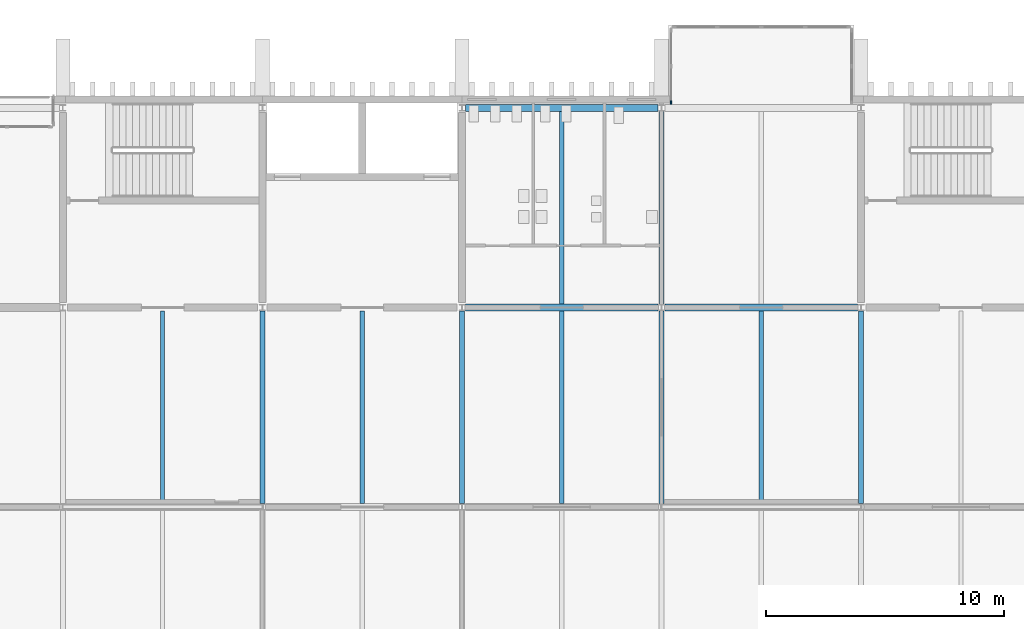
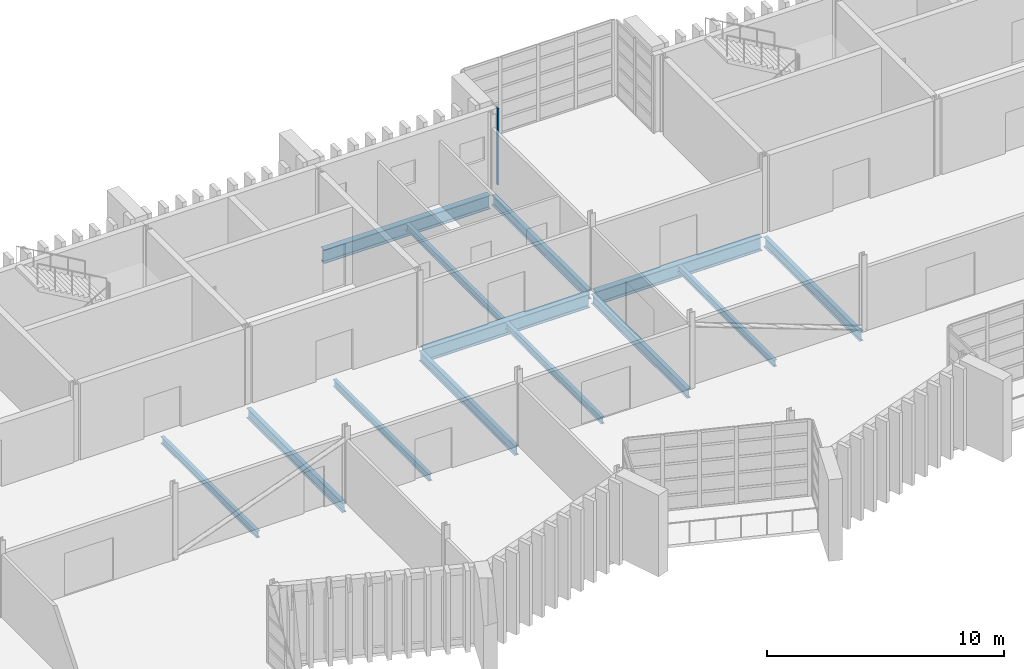
# One storey, part 30 of 88: 13 beams, 1 member, 1 element without a shape of its own.
"""IFC4 building model written with IfcOpenShell, lengths in metres."""

from ifc_helpers import new_model, si_unit, direction, frame, origin, origin_2d, place, context, subcontext, project, spatial, rectangle, i_section, extrude, material, layer, layer_set, material_profile, profile_set, type_object, element, aggregate, save


model = new_model("IFC4")

# Units and contexts
model_context = context("Model", 3, precision=1e-05, world=origin(), true_north=direction((0.0, 1.0)))
body_context = subcontext(model_context, "Body", "Model", "MODEL_VIEW")
ifc_project = project(units=[si_unit("LENGTHUNIT", "METRE"), si_unit("AREAUNIT", "SQUARE_METRE"), si_unit("VOLUMEUNIT", "CUBIC_METRE"), si_unit("PLANEANGLEUNIT", "RADIAN"), si_unit("MASSUNIT", "GRAM", prefix="KILO")], contexts=[model_context])

# Site, building, storey
site_placement = place(None, origin())
site = spatial("IfcSite", under=ifc_project, at=site_placement, CompositionType="ELEMENT")
building_placement = place(site_placement, origin())
building = spatial("IfcBuilding", under=site, at=building_placement, Name="Cresset Court Congress Hotel", CompositionType="ELEMENT")
storey_placement = place(building_placement, frame((0.0, 0.0, 14.39990234375)))
storey = spatial("IfcBuildingStorey", under=building, at=storey_placement, Name="L03", CompositionType="ELEMENT", Elevation=14.39990234375)

# Curtain wall, member
ifc_material_1 = material(Name="Aluminium frame with double glazing", Category="aluminium")
ifc_layer = layer(ifc_material_1, 0.199951171875)
ifc_layer_set = layer_set([ifc_layer], Name="Glazed box curtain wall 1680 module")
curtain_wall_type = type_object("IfcCurtainWallType", Name="Glazed box curtain wall 1680 module", PredefinedType="NOTDEFINED", material=ifc_layer_set)
curtain_wall_placement = place(storey_placement, origin())
curtain_wall = element("IfcCurtainWall", 1, at=curtain_wall_placement, inside=storey, type_object=curtain_wall_type, Name="Glazed box N0333 side", PredefinedType="NOTDEFINED")
ifc_material_2 = material(Name="Aluminium", Category="aluminium")
ifc_material_profile_1 = material_profile(ifc_material_2, rectangle(XDim=0.06005859375, YDim=0.159912109375, at=origin_2d()), Name="Box mullion 60x160")
ifc_profile_set_1 = profile_set([ifc_material_profile_1], Name="Aluminium")
member_type = type_object("IfcMemberType", Name="Box mullion 60x160", PredefinedType="MULLION", material=ifc_profile_set_1)
member_placement = place(storey_placement, frame((126.39990234375, 25.429931640625, 0.0), z_axis=(0.0, 0.0, 1.0), x_axis=(-1.0, 0.0, 0.0)))
member = element("IfcMember", 2, at=member_placement, type_object=member_type, Name="B-X1 mullion 1", PredefinedType="MULLION", context=body_context, shape_type="SweptSolid", body=[
    extrude(rectangle(XDim=0.06005859375, YDim=0.159912109375, at=origin_2d()), origin(), (0.0, 0.0, 1.0), 3.9501953125),
])
aggregate(curtain_wall, [member])

# Beams
ifc_material_3 = material(Name="Structural steel Q355B", Category="steel")
ifc_material_profile_2 = material_profile(ifc_material_3, i_section(OverallWidth=0.199951171875, OverallDepth=0.5, WebThickness=0.010009765625, FlangeThickness=0.01611328125, FilletRadius=0.012939453125, at=origin_2d()), Name="HN500x200x10x16")
ifc_profile_set_2 = profile_set([ifc_material_profile_2], Name="Structural steel Q355B")
beam_type_1 = type_object("IfcBeamType", Name="Steel beam HN500x200x10x16", PredefinedType="BEAM", material=ifc_profile_set_2)
for number, where, z_axis, x_axis, name in (
    (3, (109.199951171875, 8.550048828125, -0.39990234375), (0.0, 1.0, 0.0), (-1.0, 0.0, 0.0), "B.by.L03.14B"),
    (4, (117.60009765625, 8.550048828125, -0.39990234375), (0.0, 1.0, 0.0), (-1.0, 0.0, 0.0), "B.by.L03.15B"),
    (5, (126.0, 8.550048828125, -0.39990234375), (0.0, 1.0, 0.0), (-1.0, 0.0, 0.0), "B.by.L03.16B"),
):
    element("IfcBeam", number, at=place(storey_placement, frame(where, z_axis=z_axis, x_axis=x_axis)), inside=storey, type_object=beam_type_1, Name=name, PredefinedType="BEAM", context=body_context, shape_type="SweptSolid", body=[
        extrude(i_section(OverallWidth=0.199951171875, OverallDepth=0.5, WebThickness=0.010009765625, FlangeThickness=0.01611328125, FilletRadius=0.012939453125, at=origin_2d()), origin(), (0.0, 0.0, 1.0), 8.099853515625),
    ])
beam_1_placement = place(storey_placement, frame((126.0, 16.949951171875, -0.39990234375), z_axis=(0.0, 1.0, 0.0), x_axis=(-1.0, 0.0, 0.0)))
element("IfcBeam", 6, at=beam_1_placement, inside=storey, type_object=beam_type_1, Name="B.by.L03.16C", PredefinedType="BEAM", context=body_context, shape_type="SweptSolid", body=[
    extrude(i_section(OverallWidth=0.199951171875, OverallDepth=0.5, WebThickness=0.010009765625, FlangeThickness=0.01611328125, FilletRadius=0.012939453125, at=origin_2d()), origin(), (0.0, 0.0, 1.0), 8.10009765625),
])
beam_2_placement = place(storey_placement, frame((134.39990234375, 8.550048828125, -0.39990234375), z_axis=(0.0, 1.0, 0.0), x_axis=(-1.0, 0.0, 0.0)))
element("IfcBeam", 7, at=beam_2_placement, inside=storey, type_object=beam_type_1, Name="B.by.L03.17B", PredefinedType="BEAM", context=body_context, shape_type="SweptSolid", body=[
    extrude(i_section(OverallWidth=0.199951171875, OverallDepth=0.5, WebThickness=0.010009765625, FlangeThickness=0.01611328125, FilletRadius=0.012939453125, at=origin_2d()), origin(), (0.0, 0.0, 1.0), 8.099853515625),
])
ifc_material_4 = material(Name="Structural steel Q355B", Category="steel")
ifc_material_profile_3 = material_profile(ifc_material_4, i_section(OverallWidth=0.300048828125, OverallDepth=0.699951171875, WebThickness=0.012939453125, FlangeThickness=0.02392578125, FilletRadius=0.01806640625, at=origin_2d()), Name="HN700x300x13x24")
ifc_profile_set_3 = profile_set([ifc_material_profile_3], Name="Structural steel Q355B")
beam_type_2 = type_object("IfcBeamType", Name="Steel beam HN700x300x13x24", PredefinedType="BEAM", material=ifc_profile_set_3)
for number, where, z_axis, x_axis, name in (
    (8, (117.75, 16.800048828125, -0.5), (1.0, 0.0, 0.0), (0.0, 1.0, 0.0), "B.bx.L03.C15"),
    (9, (126.14990234375, 16.800048828125, -0.5), (1.0, 0.0, 0.0), (0.0, 1.0, 0.0), "B.bx.L03.C16"),
    (10, (117.75, 25.199951171875, -0.5), (1.0, 0.0, 0.0), (0.0, 1.0, 0.0), "B.bx.L03.D15"),
):
    element("IfcBeam", number, at=place(storey_placement, frame(where, z_axis=z_axis, x_axis=x_axis)), inside=storey, type_object=beam_type_2, Name=name, PredefinedType="BEAM", context=body_context, shape_type="SweptSolid", body=[
        extrude(i_section(OverallWidth=0.300048828125, OverallDepth=0.699951171875, WebThickness=0.012939453125, FlangeThickness=0.02392578125, FilletRadius=0.01806640625, at=origin_2d()), origin(), (0.0, 0.0, 1.0), 8.10009765625),
    ])
ifc_material_5 = material(Name="Structural steel Q355B", Category="steel")
ifc_material_profile_4 = material_profile(ifc_material_5, i_section(OverallWidth=0.175048828125, OverallDepth=0.35009765625, WebThickness=0.007080078125, FlangeThickness=0.010986328125, FilletRadius=0.012939453125, at=origin_2d()), Name="HN350x175x7x11")
ifc_profile_set_4 = profile_set([ifc_material_profile_4], Name="Structural steel Q355B")
beam_type_3 = type_object("IfcBeamType", Name="Steel joist HN350x175x7x11", PredefinedType="JOIST", material=ifc_profile_set_4)
for number, where, z_axis, x_axis, name in (
    (11, (105.0, 8.550048828125, -0.324951171875), (0.0, 1.0, 0.0), (-1.0, 0.0, 0.0), "B.bj.L03.13B"),
    (12, (113.39990234375, 8.550048828125, -0.324951171875), (0.0, 1.0, 0.0), (-1.0, 0.0, 0.0), "B.bj.L03.14B"),
    (13, (121.800048828125, 8.550048828125, -0.324951171875), (0.0, 1.0, 0.0), (-1.0, 0.0, 0.0), "B.bj.L03.15B"),
):
    element("IfcBeam", number, at=place(storey_placement, frame(where, z_axis=z_axis, x_axis=x_axis)), inside=storey, type_object=beam_type_3, Name=name, PredefinedType="JOIST", context=body_context, shape_type="SweptSolid", body=[
        extrude(i_section(OverallWidth=0.175048828125, OverallDepth=0.35009765625, WebThickness=0.007080078125, FlangeThickness=0.010986328125, FilletRadius=0.012939453125, at=origin_2d()), origin(), (0.0, 0.0, 1.0), 8.099853515625),
    ])
beam_3_placement = place(storey_placement, frame((121.800048828125, 16.949951171875, -0.324951171875), z_axis=(0.0, 1.0, 0.0), x_axis=(-1.0, 0.0, 0.0)))
element("IfcBeam", 14, at=beam_3_placement, inside=storey, type_object=beam_type_3, Name="B.bj.L03.15C", PredefinedType="JOIST", context=body_context, shape_type="SweptSolid", body=[
    extrude(i_section(OverallWidth=0.175048828125, OverallDepth=0.35009765625, WebThickness=0.007080078125, FlangeThickness=0.010986328125, FilletRadius=0.012939453125, at=origin_2d()), origin(), (0.0, 0.0, 1.0), 8.10009765625),
])
beam_4_placement = place(storey_placement, frame((130.199951171875, 8.550048828125, -0.324951171875), z_axis=(0.0, 1.0, 0.0), x_axis=(-1.0, 0.0, 0.0)))
element("IfcBeam", 15, at=beam_4_placement, inside=storey, type_object=beam_type_3, Name="B.bj.L03.16B", PredefinedType="JOIST", context=body_context, shape_type="SweptSolid", body=[
    extrude(i_section(OverallWidth=0.175048828125, OverallDepth=0.35009765625, WebThickness=0.007080078125, FlangeThickness=0.010986328125, FilletRadius=0.012939453125, at=origin_2d()), origin(), (0.0, 0.0, 1.0), 8.099853515625),
])

save(model, "model.ifc")
